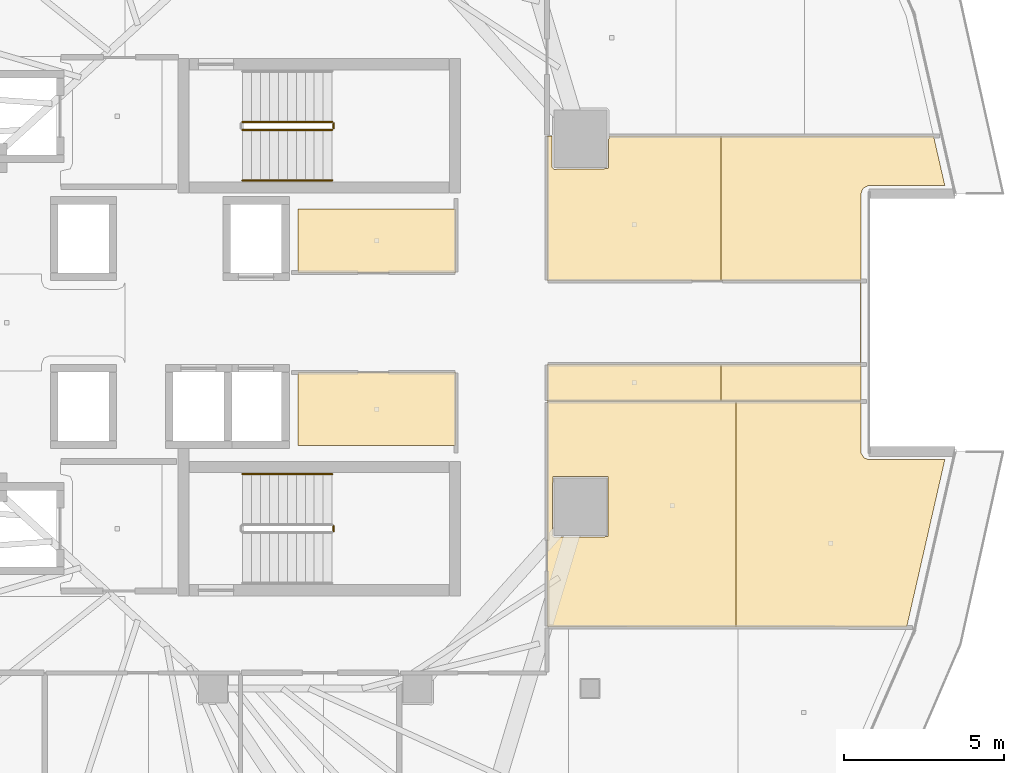
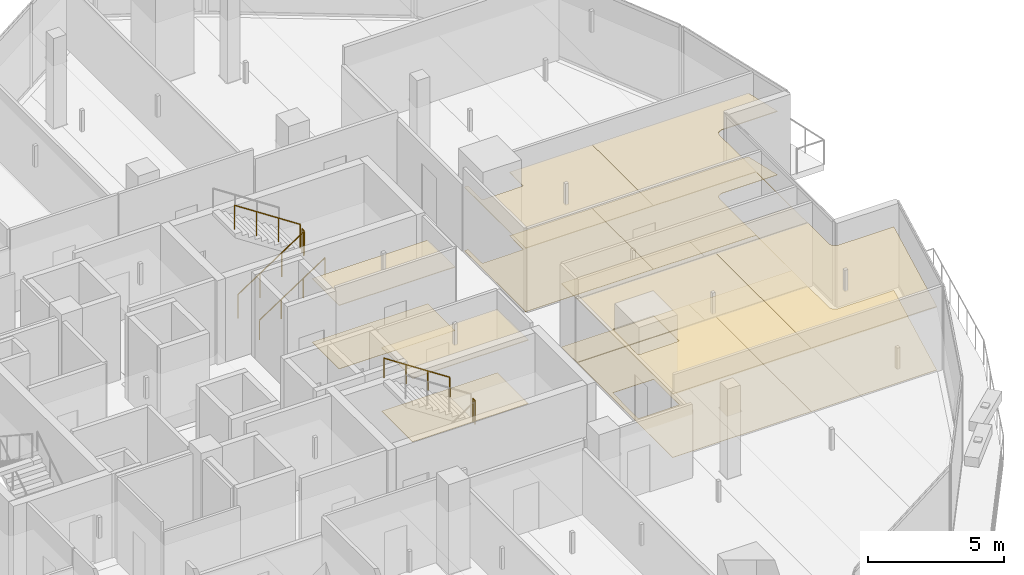
# One storey, part 35 of 36: 14 coverings, 6 railings.
"""IFC4 building model written with IfcOpenShell, lengths in metres."""

from ifc_helpers import new_model, si_unit, direction, frame, origin, origin_2d, place, context, subcontext, project, spatial, polyline, circle, outline, extrude, material, layer, layer_set, type_object, element, save


model = new_model("IFC4")

# Units and contexts
model_context = context("Model", 3, precision=1e-05, world=origin(), true_north=direction((0.0, 1.0)))
body_context = subcontext(model_context, "Body", "Model", "MODEL_VIEW")
ifc_project = project(units=[si_unit("LENGTHUNIT", "METRE"), si_unit("AREAUNIT", "SQUARE_METRE"), si_unit("VOLUMEUNIT", "CUBIC_METRE"), si_unit("PLANEANGLEUNIT", "RADIAN"), si_unit("MASSUNIT", "GRAM", prefix="KILO")], contexts=[model_context])

# Site, building, storey
site_placement = place(None, origin())
site = spatial("IfcSite", under=ifc_project, at=site_placement, CompositionType="ELEMENT")
building_placement = place(site_placement, origin())
building = spatial("IfcBuilding", under=site, at=building_placement, Name="Qorvath Tower", CompositionType="ELEMENT")
storey_placement = place(building_placement, frame((0.0, 0.0, 241.5)))
storey = spatial("IfcBuildingStorey", under=building, at=storey_placement, Name="L56", CompositionType="ELEMENT", Elevation=241.5)

# Coverings
ifc_material_1 = material(Name="Acoustic mineral fibre ceiling tile", Category="gypsum")
ifc_layer_1 = layer(ifc_material_1, 0.030029296875)
ifc_layer_set_1 = layer_set([ifc_layer_1], Name="COV-CEIL")
covering_type_1 = type_object("IfcCoveringType", Name="COV-CEIL", PredefinedType="CEILING", material=ifc_layer_set_1)
covering_1_placement = place(storey_placement, frame((0.0, 0.0, 2.85009765625)))
element("IfcCovering", 1, at=covering_1_placement, inside=storey, type_object=covering_type_1, Name="L56 Suspended Acoustic Ceiling 003", PredefinedType="CEILING", context=body_context, shape_type="SweptSolid", body=[
    extrude(outline(polyline([(-16.0048828125, 3.56005859375), (-20.93994140625, 3.56005859375), (-20.93994140625, 1.56494140625), (-16.0048828125, 1.56494140625), (-16.0048828125, 3.56005859375)])), origin(), (0.0, 0.0, 1.0), 0.030029296875),
])
covering_2_placement = place(storey_placement, frame((0.0, 0.0, 2.85009765625)))
element("IfcCovering", 2, at=covering_2_placement, inside=storey, type_object=covering_type_1, Name="L56 Suspended Acoustic Ceiling 004", PredefinedType="CEILING", context=body_context, shape_type="SweptSolid", body=[
    extrude(outline(polyline([(-20.93994140625, -1.56494140625), (-20.93994140625, -3.85009765625), (-16.0048828125, -3.85009765625), (-16.0048828125, -1.56494140625), (-20.93994140625, -1.56494140625)])), origin(), (0.0, 0.0, 1.0), 0.030029296875),
])
covering_3_placement = place(storey_placement, frame((0.0, 0.0, 2.85009765625)))
element("IfcCovering", 3, at=covering_3_placement, inside=storey, type_object=covering_type_1, Name="L56 Suspended Acoustic Ceiling 030", PredefinedType="CEILING", context=body_context, shape_type="SweptSolid", body=[
    extrude(outline(polyline([(-7.234130859375, -9.519287109375), (-7.234130859375, -2.475341796875), (-13.136962890625, -2.475341796875), (-13.136962890625, -9.516845703125), (-7.234130859375, -9.519287109375)]), holes=[polyline([(-12.981689453125, -6.657958984375), (-12.964111328125, -4.8154296875), (-11.2294921875, -4.8154296875), (-11.2294921875, -6.700439453125), (-12.921875, -6.718017578125), (-12.981689453125, -6.657958984375)])]), origin(), (0.0, 0.0, 1.0), 0.030029296875),
])
covering_4_placement = place(storey_placement, frame((0.0, 0.0, 2.85009765625)))
element("IfcCovering", 4, at=covering_4_placement, inside=storey, type_object=covering_type_1, Name="L56 Suspended Acoustic Ceiling 031", PredefinedType="CEILING", context=body_context, shape_type="SweptSolid", body=[
    extrude(outline(polyline([(-3.22900390625, -4.229736328125), (-3.31640625, -4.08251953125), (-3.3212890625, -2.475341796875), (-7.234130859375, -2.475341796875), (-7.234130859375, -9.519287109375), (-1.88916015625, -9.521484375), (-0.696533203125, -4.288818359375), (-3.0908203125, -4.28759765625), (-3.22900390625, -4.229736328125)])), origin(), (0.0, 0.0, 1.0), 0.030029296875),
])
covering_5_placement = place(storey_placement, frame((0.0, 0.0, 2.85009765625)))
element("IfcCovering", 5, at=covering_5_placement, inside=storey, type_object=covering_type_1, Name="L56 Suspended Acoustic Ceiling 032", PredefinedType="CEILING", context=body_context, shape_type="SweptSolid", body=[
    extrude(outline(polyline([(-7.6982421875, 1.31298828125), (-7.6982421875, 5.839111328125), (-11.2119140625, 5.839111328125), (-11.2294921875, 4.8154296875), (-12.921875, 4.7978515625), (-12.981689453125, 4.85791015625), (-12.981689453125, 5.839111328125), (-13.136962890625, 5.839111328125), (-13.136962890625, 1.31298828125), (-7.6982421875, 1.31298828125)])), origin(), (0.0, 0.0, 1.0), 0.030029296875),
])
covering_6_placement = place(storey_placement, frame((0.0, 0.0, 2.85009765625)))
element("IfcCovering", 6, at=covering_6_placement, inside=storey, type_object=covering_type_1, Name="L56 Suspended Acoustic Ceiling 033", PredefinedType="CEILING", context=body_context, shape_type="SweptSolid", body=[
    extrude(outline(polyline([(-7.6982421875, -2.45751953125), (-7.6982421875, -1.310302734375), (-13.136962890625, -1.31298828125), (-13.136962890625, -2.45751953125), (-7.6982421875, -2.45751953125)])), origin(), (0.0, 0.0, 1.0), 0.030029296875),
])
covering_7_placement = place(storey_placement, frame((0.0, 0.0, 2.85009765625)))
element("IfcCovering", 7, at=covering_7_placement, inside=storey, type_object=covering_type_1, Name="L56 Suspended Acoustic Ceiling 034", PredefinedType="CEILING", context=body_context, shape_type="SweptSolid", body=[
    extrude(outline(polyline([(-3.26171875, 4.19677734375), (-3.0908203125, 4.28759765625), (-0.696533203125, 4.288818359375), (-1.050048828125, 5.839111328125), (-7.6982421875, 5.839111328125), (-7.6982421875, 1.31298828125), (-3.338134765625, 1.31298828125), (-3.333251953125, -1.30810546875), (-7.6982421875, -1.310302734375), (-7.6982421875, -2.45751953125), (-3.3212890625, -2.45751953125), (-3.3212890625, 4.03369140625), (-3.26171875, 4.19677734375)])), origin(), (0.0, 0.0, 1.0), 0.030029296875),
])
ifc_material_2 = material(Name="Low-VOC modular carpet tile", Category="textile")
ifc_layer_2 = layer(ifc_material_2, 0.014892578125)
ifc_layer_set_2 = layer_set([ifc_layer_2], Name="COV-FLOOR-CPT")
covering_type_2 = type_object("IfcCoveringType", Name="COV-FLOOR-CPT", PredefinedType="FLOORING", material=ifc_layer_set_2)
covering_8_placement = place(storey_placement, origin())
element("IfcCovering", 8, at=covering_8_placement, inside=storey, type_object=covering_type_2, Name="L56 Floor Finish 003", PredefinedType="FLOORING", context=body_context, shape_type="SweptSolid", body=[
    extrude(outline(polyline([(-16.0048828125, 3.56005859375), (-20.93994140625, 3.56005859375), (-20.93994140625, 1.56494140625), (-16.0048828125, 1.56494140625), (-16.0048828125, 3.56005859375)])), origin(), (0.0, 0.0, 1.0), 0.014892578125),
])
covering_9_placement = place(storey_placement, origin())
element("IfcCovering", 9, at=covering_9_placement, inside=storey, type_object=covering_type_2, Name="L56 Floor Finish 004", PredefinedType="FLOORING", context=body_context, shape_type="SweptSolid", body=[
    extrude(outline(polyline([(-20.93994140625, -1.56494140625), (-20.93994140625, -3.85009765625), (-16.0048828125, -3.85009765625), (-16.0048828125, -1.56494140625), (-20.93994140625, -1.56494140625)])), origin(), (0.0, 0.0, 1.0), 0.014892578125),
])
covering_10_placement = place(storey_placement, origin())
element("IfcCovering", 10, at=covering_10_placement, inside=storey, type_object=covering_type_2, Name="L56 Floor Finish 030", PredefinedType="FLOORING", context=body_context, shape_type="SweptSolid", body=[
    extrude(outline(polyline([(-7.234130859375, -9.519287109375), (-7.234130859375, -2.475341796875), (-13.136962890625, -2.475341796875), (-13.136962890625, -9.516845703125), (-7.234130859375, -9.519287109375)]), holes=[polyline([(-12.981689453125, -6.657958984375), (-12.964111328125, -4.8154296875), (-11.2294921875, -4.8154296875), (-11.2294921875, -6.700439453125), (-12.921875, -6.718017578125), (-12.981689453125, -6.657958984375)])]), origin(), (0.0, 0.0, 1.0), 0.014892578125),
])
covering_11_placement = place(storey_placement, origin())
element("IfcCovering", 11, at=covering_11_placement, inside=storey, type_object=covering_type_2, Name="L56 Floor Finish 031", PredefinedType="FLOORING", context=body_context, shape_type="SweptSolid", body=[
    extrude(outline(polyline([(-3.22900390625, -4.229736328125), (-3.31640625, -4.08251953125), (-3.3212890625, -2.475341796875), (-7.234130859375, -2.475341796875), (-7.234130859375, -9.519287109375), (-1.88916015625, -9.521484375), (-0.696533203125, -4.288818359375), (-3.0908203125, -4.28759765625), (-3.22900390625, -4.229736328125)])), origin(), (0.0, 0.0, 1.0), 0.014892578125),
])
covering_12_placement = place(storey_placement, origin())
element("IfcCovering", 12, at=covering_12_placement, inside=storey, type_object=covering_type_2, Name="L56 Floor Finish 032", PredefinedType="FLOORING", context=body_context, shape_type="SweptSolid", body=[
    extrude(outline(polyline([(-7.6982421875, 1.31298828125), (-7.6982421875, 5.839111328125), (-11.2119140625, 5.839111328125), (-11.2294921875, 4.8154296875), (-12.921875, 4.7978515625), (-12.981689453125, 4.85791015625), (-12.981689453125, 5.839111328125), (-13.136962890625, 5.839111328125), (-13.136962890625, 1.31298828125), (-7.6982421875, 1.31298828125)])), origin(), (0.0, 0.0, 1.0), 0.014892578125),
])
covering_13_placement = place(storey_placement, origin())
element("IfcCovering", 13, at=covering_13_placement, inside=storey, type_object=covering_type_2, Name="L56 Floor Finish 033", PredefinedType="FLOORING", context=body_context, shape_type="SweptSolid", body=[
    extrude(outline(polyline([(-7.6982421875, -2.45751953125), (-7.6982421875, -1.310302734375), (-13.136962890625, -1.31298828125), (-13.136962890625, -2.45751953125), (-7.6982421875, -2.45751953125)])), origin(), (0.0, 0.0, 1.0), 0.014892578125),
])
covering_14_placement = place(storey_placement, origin())
element("IfcCovering", 14, at=covering_14_placement, inside=storey, type_object=covering_type_2, Name="L56 Floor Finish 034", PredefinedType="FLOORING", context=body_context, shape_type="SweptSolid", body=[
    extrude(outline(polyline([(-3.26171875, 4.19677734375), (-3.0908203125, 4.28759765625), (-0.696533203125, 4.288818359375), (-1.050048828125, 5.839111328125), (-7.6982421875, 5.839111328125), (-7.6982421875, 1.31298828125), (-3.338134765625, 1.31298828125), (-3.333251953125, -1.30810546875), (-7.6982421875, -1.310302734375), (-7.6982421875, -2.45751953125), (-3.3212890625, -2.45751953125), (-3.3212890625, 4.03369140625), (-3.26171875, 4.19677734375)])), origin(), (0.0, 0.0, 1.0), 0.014892578125),
])

# Railings
ifc_material_3 = material(Name="Painted galvanised steel", Category="steel")
railing_type_1 = type_object("IfcRailingType", Name="RL-STR-GRD", PredefinedType="GUARDRAIL", material=ifc_material_3)
railing_1_placement = place(storey_placement, frame((-22.669921875, 6.030029296875, 0.18408203125)))
element("IfcRailing", 15, at=railing_1_placement, inside=storey, type_object=railing_type_1, Name="L56 TS1 stair guard 1", PredefinedType="GUARDRAIL", context=body_context, shape_type="SweptSolid", body=[
    extrude(circle(Radius=0.02392578125, at=origin_2d()), frame((0.0, 0.0, 1.076171875), z_axis=(0.835575518608, 0.0, 0.549375602573), x_axis=(0.0, 1.0, 0.0)), (0.0, 0.0, 1.0), 3.350830078125),
    extrude(circle(Radius=0.02099609375, at=origin_2d()), origin(), (0.0, 0.0, 1.0), 1.052001953125),
    extrude(circle(Radius=0.02099609375, at=origin_2d()), frame((0.933349609375, 0.0, 0.613525390625)), (0.0, 0.0, 1.0), 1.052001953125),
    extrude(circle(Radius=0.02099609375, at=origin_2d()), frame((1.866455078125, 0.0, 1.227294921875)), (0.0, 0.0, 1.0), 1.052001953125),
    extrude(circle(Radius=0.02099609375, at=origin_2d()), frame((2.7998046875, 0.0, 1.8408203125)), (0.0, 0.0, 1.0), 1.052001953125),
])
railing_2_placement = place(storey_placement, frame((-19.820068359375, 6.080078125, 2.02490234375)))
element("IfcRailing", 16, at=railing_2_placement, inside=storey, type_object=railing_type_1, Name="L56 TS1 stair guard 2", PredefinedType="GUARDRAIL", context=body_context, shape_type="SweptSolid", body=[
    extrude(circle(Radius=0.02392578125, at=origin_2d()), frame((0.0, 0.0, 1.076171875), z_axis=(0.0, 1.0, 0.0), x_axis=(-1.0, 0.0, 0.0)), (0.0, 0.0, 1.0), 0.14990234375),
    extrude(circle(Radius=0.02099609375, at=origin_2d()), origin(), (0.0, 0.0, 1.0), 1.052001953125),
    extrude(circle(Radius=0.02099609375, at=origin_2d()), frame((0.0, 0.14990234375, 0.0)), (0.0, 0.0, 1.0), 1.052001953125),
])
railing_3_placement = place(storey_placement, frame((-19.8701171875, 6.280029296875, 2.208984375)))
element("IfcRailing", 17, at=railing_3_placement, inside=storey, type_object=railing_type_1, Name="L56 TS1 stair guard 3", PredefinedType="GUARDRAIL", context=body_context, shape_type="SweptSolid", body=[
    extrude(circle(Radius=0.02392578125, at=origin_2d()), frame((0.0, 0.0, 1.076171875), z_axis=(-0.835542071712, 0.0, 0.549426470421), x_axis=(0.0, -1.0, 0.0)), (0.0, 0.0, 1.0), 3.350830078125),
    extrude(circle(Radius=0.02099609375, at=origin_2d()), origin(), (0.0, 0.0, 1.0), 1.052001953125),
    extrude(circle(Radius=0.02099609375, at=origin_2d()), frame((-0.933349609375, 0.0, 0.61376953125)), (0.0, 0.0, 1.0), 1.052001953125),
    extrude(circle(Radius=0.02099609375, at=origin_2d()), frame((-1.866455078125, 0.0, 1.227294921875)), (0.0, 0.0, 1.0), 1.052001953125),
    extrude(circle(Radius=0.02099609375, at=origin_2d()), frame((-2.7998046875, 0.0, 1.841064453125)), (0.0, 0.0, 1.0), 1.052001953125),
])
railing_4_placement = place(storey_placement, frame((-19.820068359375, -6.52001953125, 2.02490234375)))
element("IfcRailing", 18, at=railing_4_placement, inside=storey, type_object=railing_type_1, Name="L56 TS2 stair guard 2", PredefinedType="GUARDRAIL", context=body_context, shape_type="SweptSolid", body=[
    extrude(circle(Radius=0.02392578125, at=origin_2d()), frame((0.0, 0.0, 1.076171875), z_axis=(0.0, 1.0, 0.0), x_axis=(-1.0, 0.0, 0.0)), (0.0, 0.0, 1.0), 0.14990234375),
    extrude(circle(Radius=0.02099609375, at=origin_2d()), origin(), (0.0, 0.0, 1.0), 1.052001953125),
    extrude(circle(Radius=0.02099609375, at=origin_2d()), frame((0.0, 0.14990234375, 0.0)), (0.0, 0.0, 1.0), 1.052001953125),
])
ifc_material_4 = material(Name="Brushed stainless steel AISI 304", Category="steel")
railing_type_2 = type_object("IfcRailingType", Name="RL-STR-HND", PredefinedType="HANDRAIL", material=ifc_material_4)
railing_5_placement = place(storey_placement, frame((-22.669921875, 4.449951171875, 0.18408203125)))
element("IfcRailing", 19, at=railing_5_placement, inside=storey, type_object=railing_type_2, Name="L56 TS1 stair handrail 1", PredefinedType="HANDRAIL", context=body_context, shape_type="SweptSolid", body=[
    extrude(circle(Radius=0.02392578125, at=origin_2d()), frame((0.0, 0.0, 0.8759765625), z_axis=(0.835575518608, 0.0, 0.549375602573), x_axis=(0.0, 1.0, 0.0)), (0.0, 0.0, 1.0), 3.350830078125),
    extrude(circle(Radius=0.02099609375, at=origin_2d()), origin(), (0.0, 0.0, 1.0), 0.851806640625),
    extrude(circle(Radius=0.02099609375, at=origin_2d()), frame((0.933349609375, 0.0, 0.613525390625)), (0.0, 0.0, 1.0), 0.851806640625),
    extrude(circle(Radius=0.02099609375, at=origin_2d()), frame((1.866455078125, 0.0, 1.227294921875)), (0.0, 0.0, 1.0), 0.851806640625),
    extrude(circle(Radius=0.02099609375, at=origin_2d()), frame((2.7998046875, 0.0, 1.8408203125)), (0.0, 0.0, 1.0), 0.851806640625),
])
railing_6_placement = place(storey_placement, frame((-19.8701171875, -4.739990234375, 2.208984375)))
element("IfcRailing", 20, at=railing_6_placement, inside=storey, type_object=railing_type_2, Name="L56 TS2 stair handrail 2", PredefinedType="HANDRAIL", context=body_context, shape_type="SweptSolid", body=[
    extrude(circle(Radius=0.02392578125, at=origin_2d()), frame((0.0, 0.0, 0.8759765625), z_axis=(-0.835542071712, 0.0, 0.549426470421), x_axis=(0.0, -1.0, 0.0)), (0.0, 0.0, 1.0), 3.350830078125),
    extrude(circle(Radius=0.02099609375, at=origin_2d()), origin(), (0.0, 0.0, 1.0), 0.851806640625),
    extrude(circle(Radius=0.02099609375, at=origin_2d()), frame((-0.933349609375, 0.0, 0.61376953125)), (0.0, 0.0, 1.0), 0.851806640625),
    extrude(circle(Radius=0.02099609375, at=origin_2d()), frame((-1.866455078125, 0.0, 1.227294921875)), (0.0, 0.0, 1.0), 0.851806640625),
    extrude(circle(Radius=0.02099609375, at=origin_2d()), frame((-2.7998046875, 0.0, 1.841064453125)), (0.0, 0.0, 1.0), 0.851806640625),
])

save(model, "model.ifc")
